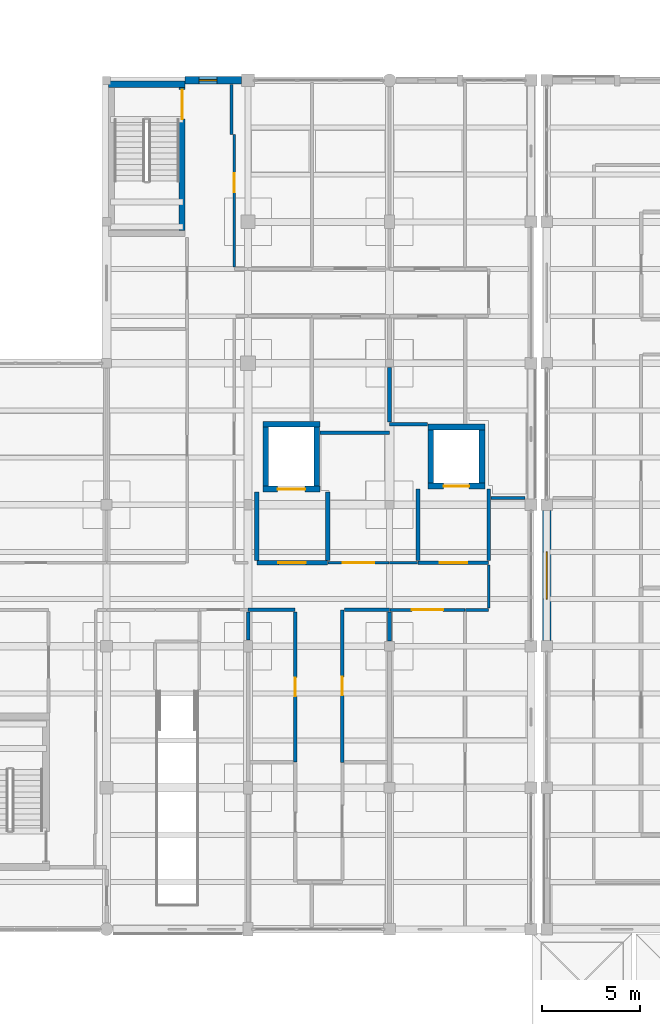
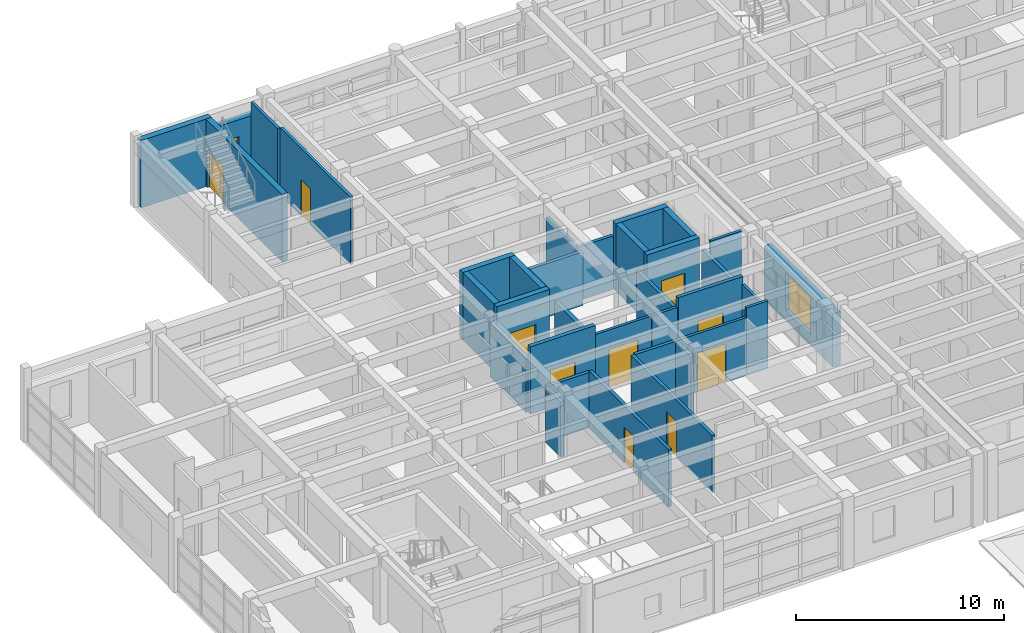
# One storey, part 84 of 110: 35 walls, 10 doors, 2 windows, 12 openings.
"""IFC4 building model written with IfcOpenShell, lengths in metres."""

from ifc_helpers import new_model, si_unit, direction, frame, frame_2d, origin, place, context, subcontext, project, spatial, rectangle, extrude, material, layer, layer_set, type_object, element, fill, save


model = new_model("IFC4")

# Units and contexts
model_context = context("Model", 3, precision=1e-05, world=origin(), true_north=direction((0.0, 1.0)))
body_context = subcontext(model_context, "Body", "Model", "MODEL_VIEW")
ifc_project = project(units=[si_unit("LENGTHUNIT", "METRE"), si_unit("AREAUNIT", "SQUARE_METRE"), si_unit("VOLUMEUNIT", "CUBIC_METRE"), si_unit("PLANEANGLEUNIT", "RADIAN"), si_unit("MASSUNIT", "GRAM", prefix="KILO")], contexts=[model_context])

# Site, building, storey
site_placement = place(None, origin())
site = spatial("IfcSite", under=ifc_project, at=site_placement, CompositionType="ELEMENT")
building_placement = place(site_placement, origin())
building = spatial("IfcBuilding", under=site, at=building_placement, Name="Steenspoor Specialist Clinic", CompositionType="ELEMENT")
storey_placement = place(building_placement, frame((0.0, 0.0, 4.800048828125)))
storey = spatial("IfcBuildingStorey", under=building, at=storey_placement, Name="L01", CompositionType="ELEMENT", Elevation=4.800048828125)

# Wall, opening, window
ifc_material_1 = material(Name="Extruded clay brick masonry", Category="masonry")
ifc_layer_1 = layer(ifc_material_1, 0.3798828125)
ifc_layer_set_1 = layer_set([ifc_layer_1], Name="Extruded clay brick masonry")
wall_type_1 = type_object("IfcWallType", Name="W-BRICK-380", PredefinedType="USERDEFINED", material=ifc_layer_set_1)
wall_1_placement = place(storey_placement, frame((34.0, 108.35009765625, 0.0), z_axis=(0.0, 0.0, 1.0), x_axis=(1.0, 0.0, 0.0)))
wall_1 = element("IfcWall", 1, at=wall_1_placement, inside=storey, type_object=wall_type_1, Name="Exterior Brick Wall EW-V5-L01-0261", ObjectType="CAVITY VENEER", PredefinedType="USERDEFINED", context=body_context, shape_type="SweptSolid", body=[
    extrude(rectangle(XDim=2.875, YDim=0.3798828125, at=frame_2d((1.4375, 0.0))), origin(), (0.0, 0.0, 1.0), 3.1298828125),
])
opening_1_placement = place(wall_1_placement, frame((0.715087890625, 0.0, 0.949951171875)))
opening_1 = element("IfcOpeningElement", 2, at=opening_1_placement, cuts=wall_1, Name="Opening WN-21", PredefinedType="OPENING", context=body_context, shape_type="SweptSolid", body=[
    extrude(rectangle(XDim=0.89990234375, YDim=1.199951171875, at=frame_2d((0.449951171875, 0.60009765625))), frame((0.0, 0.199951171875, 0.0), z_axis=(0.0, -1.0, 0.0), x_axis=(1.0, 0.0, 0.0)), (0.0, 0.0, 1.0), 0.39990234375),
])
ifc_material_2 = material(Name="Thermally broken aluminium and low-emissivity glass", Category="aluminium")
window_type_1 = type_object("IfcWindowType", Name="WN-EXT-090X120", PartitioningType="SINGLE_PANEL", PredefinedType="WINDOW", material=ifc_material_2)
window_1_placement = place(opening_1_placement, origin())
window_1 = element("IfcWindow", 3, at=window_1_placement, inside=storey, type_object=window_type_1, Name="Window 0286", OverallHeight=1.199951171875, OverallWidth=0.89990234375, PartitioningType="SINGLE_PANEL", PredefinedType="WINDOW", context=body_context, shape_type="SweptSolid", body=[
    extrude(rectangle(XDim=0.89990234375, YDim=1.199951171875, at=frame_2d((0.449951171875, 0.60009765625))), frame((0.0, 0.030029296875, 0.0), z_axis=(0.0, -1.0, 0.0), x_axis=(1.0, 0.0, 0.0)), (0.0, 0.0, 1.0), 0.06005859375),
])
fill(opening_1, window_1)

ifc_layer_2 = layer(ifc_material_1, 0.43994140625)
ifc_layer_set_2 = layer_set([ifc_layer_2], Name="Extruded clay brick masonry")
wall_type_2 = type_object("IfcWallType", Name="W-BRICK-440", PredefinedType="USERDEFINED", material=ifc_layer_set_2)
wall_2_placement = place(storey_placement, frame((52.39990234375, 79.85009765625, 0.0), z_axis=(0.0, 0.0, 1.0), x_axis=(0.0, 1.0, 0.0)))
wall_2 = element("IfcWall", 4, at=wall_2_placement, inside=storey, type_object=wall_type_2, Name="Exterior Brick Wall EW-V4-L01-0115", ObjectType="CAVITY VENEER", PredefinedType="USERDEFINED", context=body_context, shape_type="SweptSolid", body=[
    extrude(rectangle(XDim=6.599853515625, YDim=0.43994140625, at=frame_2d((3.2998046875, 0.0))), origin(), (0.0, 0.0, 1.0), 3.1298828125),
])
opening_2_placement = place(wall_2_placement, frame((2.10009765625, 0.0, 0.60009765625)))
opening_2 = element("IfcOpeningElement", 5, at=opening_2_placement, cuts=wall_2, Name="Opening WN-18", PredefinedType="OPENING", context=body_context, shape_type="SweptSolid", body=[
    extrude(rectangle(XDim=2.39990234375, YDim=2.199951171875, at=frame_2d((1.199951171875, 1.10009765625))), frame((0.0, 0.22998046875, 0.0), z_axis=(0.0, -1.0, 0.0), x_axis=(1.0, 0.0, 0.0)), (0.0, 0.0, 1.0), 0.4599609375),
])
window_type_2 = type_object("IfcWindowType", Name="WN-EXT-240X220", PartitioningType="SINGLE_PANEL", PredefinedType="WINDOW", material=ifc_material_2)
window_2_placement = place(opening_2_placement, origin())
window_2 = element("IfcWindow", 6, at=window_2_placement, inside=storey, type_object=window_type_2, Name="Window 0137", OverallHeight=2.199951171875, OverallWidth=2.39990234375, PartitioningType="SINGLE_PANEL", PredefinedType="WINDOW", context=body_context, shape_type="SweptSolid", body=[
    extrude(rectangle(XDim=2.39990234375, YDim=2.199951171875, at=frame_2d((1.199951171875, 1.10009765625))), frame((0.0, 0.030029296875, 0.0), z_axis=(0.0, -1.0, 0.0), x_axis=(1.0, 0.0, 0.0)), (0.0, 0.0, 1.0), 0.06005859375),
])
fill(opening_2, window_2)

# Wall, opening, door
ifc_material_3 = material(Name="Gypsum acoustic clinical partition", Category="gypsum")
ifc_layer_3 = layer(ifc_material_3, 0.14990234375)
ifc_layer_set_3 = layer_set([ifc_layer_3], Name="Gypsum acoustic clinical partition")
wall_type_3 = type_object("IfcWallType", Name="W-CLIN-150", PredefinedType="PARTITIONING", material=ifc_layer_set_3)
wall_3_placement = place(storey_placement, frame((44.4150390625, 81.39990234375, 0.0), z_axis=(0.0, 0.0, 1.0), x_axis=(1.0, 0.0, 0.0)))
wall_3 = element("IfcWall", 7, at=wall_3_placement, inside=storey, type_object=wall_type_3, Name="Interior Partition IW-V5-L01-0812", PredefinedType="PARTITIONING", context=body_context, shape_type="SweptSolid", body=[
    extrude(rectangle(XDim=3.8349609375, YDim=0.14990234375, at=frame_2d((1.91748046875, 0.0))), origin(), (0.0, 0.0, 1.0), 3.385009765625),
])
opening_3_placement = place(wall_3_placement, frame((1.117431640625, 0.0, 0.0)))
opening_3 = element("IfcOpeningElement", 8, at=opening_3_placement, cuts=wall_3, Name="Opening D0352", PredefinedType="OPENING", context=body_context, shape_type="SweptSolid", body=[
    extrude(rectangle(XDim=1.60009765625, YDim=2.25, at=frame_2d((0.800048828125, 1.125))), frame((0.0, 0.0849609375, 0.0), z_axis=(0.0, -1.0, 0.0), x_axis=(1.0, 0.0, 0.0)), (0.0, 0.0, 1.0), 0.169921875),
])
ifc_material_4 = material(Name="Hygienic HPL clinical timber door", Category="wood")
door_type_1 = type_object("IfcDoorType", Name="DT-PROC-160X225", OperationType="NOTDEFINED", PredefinedType="DOOR", material=ifc_material_4)
door_1_placement = place(opening_3_placement, origin())
door_1 = element("IfcDoor", 9, at=door_1_placement, inside=storey, type_object=door_type_1, Name="Clinical Door D0352", OperationType="SINGLE_SWING_LEFT", OverallHeight=2.25, OverallWidth=1.60009765625, PredefinedType="DOOR", context=body_context, shape_type="SweptSolid", body=[
    extrude(rectangle(XDim=1.60009765625, YDim=2.25, at=frame_2d((0.800048828125, 1.125))), frame((0.0, 0.02490234375, 0.0), z_axis=(0.0, -1.0, 0.0), x_axis=(1.0, 0.0, 0.0)), (0.0, 0.0, 1.0), 0.050048828125),
])
fill(opening_3, door_1)

# Walls
wall_4_placement = place(storey_placement, frame((48.264892578125, 81.39990234375, 0.0), z_axis=(0.0, 0.0, 1.0), x_axis=(1.0, 0.0, 0.0)))
element("IfcWall", 10, at=wall_4_placement, inside=storey, type_object=wall_type_3, Name="Interior Partition IW-V5-L01-0813", PredefinedType="PARTITIONING", context=body_context, shape_type="SweptSolid", body=[
    extrude(rectangle(XDim=1.18505859375, YDim=0.14990234375, at=frame_2d((0.592529296875, 0.0))), origin(), (0.0, 0.0, 1.0), 3.949951171875),
])
wall_5_placement = place(storey_placement, frame((49.449951171875, 81.489990234375, 0.0), z_axis=(0.0, 0.0, 1.0), x_axis=(0.0, 1.0, 0.0)))
element("IfcWall", 11, at=wall_5_placement, inside=storey, type_object=wall_type_3, Name="Interior Partition IW-V5-L01-0814", PredefinedType="PARTITIONING", context=body_context, shape_type="SweptSolid", body=[
    extrude(rectangle(XDim=2.195068359375, YDim=0.14990234375, at=frame_2d((1.09765625, 0.0))), origin(), (0.0, 0.0, 1.0), 3.514892578125),
])
wall_6_placement = place(storey_placement, frame((44.39990234375, 83.800048828125, 0.0), z_axis=(0.0, 0.0, 1.0), x_axis=(1.0, 0.0, 0.0)))
element("IfcWall", 12, at=wall_6_placement, inside=storey, type_object=wall_type_3, Name="Interior Partition IW-V5-L01-0822", PredefinedType="PARTITIONING", context=body_context, shape_type="SweptSolid", body=[
    extrude(rectangle(XDim=1.43505859375, YDim=0.14990234375, at=frame_2d((0.717529296875, 0.0))), origin(), (0.0, 0.0, 1.0), 3.385009765625),
])

# Wall, opening, door
wall_7_placement = place(storey_placement, frame((41.264892578125, 83.800048828125, 0.0), z_axis=(0.0, 0.0, 1.0), x_axis=(1.0, 0.0, 0.0)))
wall_7 = element("IfcWall", 13, at=wall_7_placement, inside=storey, type_object=wall_type_3, Name="Interior Partition IW-V5-L01-0823", PredefinedType="PARTITIONING", context=body_context, shape_type="SweptSolid", body=[
    extrude(rectangle(XDim=3.1201171875, YDim=0.14990234375, at=frame_2d((1.56005859375, 0.0))), origin(), (0.0, 0.0, 1.0), 3.385009765625),
])
opening_4_placement = place(wall_7_placement, frame((0.760009765625, 0.0, 0.0)))
opening_4 = element("IfcOpeningElement", 14, at=opening_4_placement, cuts=wall_7, Name="Opening D0361", PredefinedType="OPENING", context=body_context, shape_type="SweptSolid", body=[
    extrude(rectangle(XDim=1.60009765625, YDim=2.25, at=frame_2d((0.800048828125, 1.125))), frame((0.0, 0.0849609375, 0.0), z_axis=(0.0, -1.0, 0.0), x_axis=(1.0, 0.0, 0.0)), (0.0, 0.0, 1.0), 0.169921875),
])
door_2_placement = place(opening_4_placement, origin())
door_2 = element("IfcDoor", 15, at=door_2_placement, inside=storey, type_object=door_type_1, Name="Clinical Door D0361", OperationType="SINGLE_SWING_RIGHT", OverallHeight=2.25, OverallWidth=1.60009765625, PredefinedType="DOOR", context=body_context, shape_type="SweptSolid", body=[
    extrude(rectangle(XDim=1.60009765625, YDim=2.25, at=frame_2d((0.800048828125, 1.125))), frame((0.0, 0.02490234375, 0.0), z_axis=(0.0, -1.0, 0.0), x_axis=(1.0, 0.0, 0.0)), (0.0, 0.0, 1.0), 0.050048828125),
])
fill(opening_4, door_2)

# Wall
wall_8_placement = place(storey_placement, frame((36.35009765625, 105.60009765625, 0.0), z_axis=(0.0, 0.0, 1.0), x_axis=(0.0, 1.0, 0.0)))
element("IfcWall", 16, at=wall_8_placement, inside=storey, type_object=wall_type_3, Name="Interior Partition IW-V5-L01-0930", PredefinedType="PARTITIONING", context=body_context, shape_type="SweptSolid", body=[
    extrude(rectangle(XDim=2.544921875, YDim=0.14990234375, at=frame_2d((1.2724609375, 0.0))), origin(), (0.0, 0.0, 1.0), 3.949951171875),
])

# Wall, opening, door
wall_9_placement = place(storey_placement, frame((36.5, 98.840087890625, 0.0), z_axis=(0.0, 0.0, 1.0), x_axis=(0.0, 1.0, 0.0)))
wall_9 = element("IfcWall", 17, at=wall_9_placement, inside=storey, type_object=wall_type_3, Name="Interior Partition IW-V5-L01-0933", PredefinedType="PARTITIONING", context=body_context, shape_type="SweptSolid", body=[
    extrude(rectangle(XDim=6.744873046875, YDim=0.14990234375, at=frame_2d((3.37255859375, 0.0))), origin(), (0.0, 0.0, 1.0), 3.949951171875),
])
opening_5_placement = place(wall_9_placement, frame((3.82470703125, 0.0, 0.0)))
opening_5 = element("IfcOpeningElement", 18, at=opening_5_placement, cuts=wall_9, Name="Opening D0366", PredefinedType="OPENING", context=body_context, shape_type="SweptSolid", body=[
    extrude(rectangle(XDim=0.949951171875, YDim=2.10009765625, at=frame_2d((0.47509765625, 1.050048828125))), frame((0.0, 0.0849609375, 0.0), z_axis=(0.0, -1.0, 0.0), x_axis=(1.0, 0.0, 0.0)), (0.0, 0.0, 1.0), 0.169921875),
])
ifc_material_5 = material(Name="Moisture-resistant HPL sanitary door", Category="wood")
door_type_2 = type_object("IfcDoorType", Name="DT-WC-095X210", OperationType="NOTDEFINED", PredefinedType="DOOR", material=ifc_material_5)
door_3_placement = place(opening_5_placement, origin())
door_3 = element("IfcDoor", 19, at=door_3_placement, inside=storey, type_object=door_type_2, Name="Clinical Door D0366", OperationType="SINGLE_SWING_LEFT", OverallHeight=2.10009765625, OverallWidth=0.949951171875, PredefinedType="DOOR", context=body_context, shape_type="SweptSolid", body=[
    extrude(rectangle(XDim=0.949951171875, YDim=2.10009765625, at=frame_2d((0.47509765625, 1.050048828125))), frame((0.0, 0.02490234375, 0.0), z_axis=(0.0, -1.0, 0.0), x_axis=(1.0, 0.0, 0.0)), (0.0, 0.0, 1.0), 0.050048828125),
])
fill(opening_5, door_3)

# Walls
wall_10_placement = place(storey_placement, frame((49.56494140625, 87.10009765625, 0.0), z_axis=(0.0, 0.0, 1.0), x_axis=(1.0, 0.0, 0.0)))
element("IfcWall", 20, at=wall_10_placement, inside=storey, type_object=wall_type_3, Name="Interior Partition IW-V5-L01-1145", PredefinedType="PARTITIONING", context=body_context, shape_type="SweptSolid", body=[
    extrude(rectangle(XDim=1.719970703125, YDim=0.14990234375, at=frame_2d((0.85986328125, 0.0))), origin(), (0.0, 0.0, 1.0), 3.949951171875),
])
ifc_material_6 = material(Name="Concrete C40/50", Category="concrete")
ifc_layer_4 = layer(ifc_material_6, 0.330078125)
ifc_layer_set_4 = layer_set([ifc_layer_4], Name="Concrete C40/50")
wall_type_4 = type_object("IfcWallType", Name="W-ESW-330", PredefinedType="SHEAR", material=ifc_layer_set_4)
wall_11_placement = place(storey_placement, frame((30.10009765625, 108.14990234375, 0.0), z_axis=(0.0, 0.0, 1.0), x_axis=(1.0, 0.0, 0.0)))
element("IfcWall", 21, at=wall_11_placement, inside=storey, type_object=wall_type_4, Name="Core Shear Wall SW-ST-V5A-L01-N", PredefinedType="SHEAR", context=body_context, shape_type="SweptSolid", body=[
    extrude(rectangle(XDim=3.89990234375, YDim=0.330078125, at=frame_2d((1.949951171875, 0.0))), origin(), (0.0, 0.0, 1.0), 3.949951171875),
])

# Wall, opening, door
ifc_material_7 = material(Name="Fire-rated clay blockwork masonry", Category="masonry")
ifc_layer_5 = layer(ifc_material_7, 0.219970703125)
ifc_layer_set_5 = layer_set([ifc_layer_5], Name="Fire-rated clay blockwork masonry")
wall_type_5 = type_object("IfcWallType", Name="W-FIRE-220", PredefinedType="PARTITIONING", material=ifc_layer_set_5)
wall_12_placement = place(storey_placement, frame((37.64990234375, 83.800048828125, 0.0), z_axis=(0.0, 0.0, 1.0), x_axis=(1.0, 0.0, 0.0)))
wall_12 = element("IfcWall", 22, at=wall_12_placement, inside=storey, type_object=wall_type_5, Name="Interior Partition IW-V5-L01-0669", PredefinedType="PARTITIONING", context=body_context, shape_type="SweptSolid", body=[
    extrude(rectangle(XDim=3.60009765625, YDim=0.219970703125, at=frame_2d((1.800048828125, 0.0))), origin(), (0.0, 0.0, 1.0), 3.949951171875),
])
opening_6_placement = place(wall_12_placement, frame((1.10009765625, 0.0, 0.0)))
opening_6 = element("IfcOpeningElement", 23, at=opening_6_placement, cuts=wall_12, Name="Opening D0343", PredefinedType="OPENING", context=body_context, shape_type="SweptSolid", body=[
    extrude(rectangle(XDim=1.39990234375, YDim=2.199951171875, at=frame_2d((0.699951171875, 1.10009765625))), frame((0.0, 0.1201171875, 0.0), z_axis=(0.0, -1.0, 0.0), x_axis=(1.0, 0.0, 0.0)), (0.0, 0.0, 1.0), 0.239990234375),
])
ifc_material_8 = material(Name="Fire-rated clinical laminate door", Category="steel")
door_type_3 = type_object("IfcDoorType", Name="DT-LAB-140X220", OperationType="NOTDEFINED", PredefinedType="DOOR", material=ifc_material_8)
door_4_placement = place(opening_6_placement, origin())
door_4 = element("IfcDoor", 24, at=door_4_placement, inside=storey, type_object=door_type_3, Name="Lift Lobby Fire Door D0343", OperationType="SINGLE_SWING_RIGHT", OverallHeight=2.199951171875, OverallWidth=1.39990234375, PredefinedType="DOOR", context=body_context, shape_type="SweptSolid", body=[
    extrude(rectangle(XDim=1.39990234375, YDim=2.199951171875, at=frame_2d((0.699951171875, 1.10009765625))), frame((0.0, 0.02490234375, 0.0), z_axis=(0.0, -1.0, 0.0), x_axis=(1.0, 0.0, 0.0)), (0.0, 0.0, 1.0), 0.050048828125),
])
fill(opening_6, door_4)

# Walls
for number, where, z_axis, x_axis, name in (
    (25, (41.25, 83.925048828125, 0.0), (0.0, 0.0, 1.0), (0.0, 1.0, 0.0), "Interior Partition IW-V5-L01-0681"),
    (26, (37.64990234375, 83.925048828125, 0.0), (0.0, 0.0, 1.0), (0.0, 1.0, 0.0), "Interior Partition IW-V5-L01-0682"),
):
    element("IfcWall", number, at=place(storey_placement, frame(where, z_axis=z_axis, x_axis=x_axis)), inside=storey, type_object=wall_type_5, Name=name, PredefinedType="PARTITIONING", context=body_context, shape_type="SweptSolid", body=[
        extrude(rectangle(XDim=3.474853515625, YDim=0.219970703125, at=frame_2d((1.7373046875, 0.0))), origin(), (0.0, 0.0, 1.0), 3.135009765625),
    ])
ifc_material_9 = material(Name="Moisture-resistant gypsum plumbing wall", Category="gypsum")
ifc_layer_6 = layer(ifc_material_9, 0.179931640625)
ifc_layer_set_6 = layer_set([ifc_layer_6], Name="Moisture-resistant gypsum plumbing wall")
wall_type_6 = type_object("IfcWallType", Name="W-PLUMB-180", PredefinedType="PLUMBINGWALL", material=ifc_layer_set_6)
wall_13_placement = place(storey_placement, frame((37.199951171875, 81.39990234375, 0.0), z_axis=(0.0, 0.0, 1.0), x_axis=(1.0, 0.0, 0.0)))
element("IfcWall", 27, at=wall_13_placement, inside=storey, type_object=wall_type_6, Name="Interior Partition IW-V5-L01-0778", PredefinedType="PLUMBINGWALL", context=body_context, shape_type="SweptSolid", body=[
    extrude(rectangle(XDim=2.400146484375, YDim=0.179931640625, at=frame_2d((1.2001953125, 0.0))), origin(), (0.0, 0.0, 1.0), 3.23486328125),
])

# Wall, opening, door
wall_14_placement = place(storey_placement, frame((39.60009765625, 73.659912109375, 0.0), z_axis=(0.0, 0.0, 1.0), x_axis=(0.0, 1.0, 0.0)))
wall_14 = element("IfcWall", 28, at=wall_14_placement, inside=storey, type_object=wall_type_6, Name="Interior Partition IW-V5-L01-0779", PredefinedType="PLUMBINGWALL", context=body_context, shape_type="SweptSolid", body=[
    extrude(rectangle(XDim=7.635009765625, YDim=0.179931640625, at=frame_2d((3.8173828125, 0.0))), origin(), (0.0, 0.0, 1.0), 3.35498046875),
])
opening_7_placement = place(wall_14_placement, frame((3.342529296875, 0.0, 0.0)))
opening_7 = element("IfcOpeningElement", 29, at=opening_7_placement, cuts=wall_14, Name="Opening D0354", PredefinedType="OPENING", context=body_context, shape_type="SweptSolid", body=[
    extrude(rectangle(XDim=0.949951171875, YDim=2.10009765625, at=frame_2d((0.47509765625, 1.050048828125))), frame((0.0, 0.10009765625, 0.0), z_axis=(0.0, -1.0, 0.0), x_axis=(1.0, 0.0, 0.0)), (0.0, 0.0, 1.0), 0.199951171875),
])
door_5_placement = place(opening_7_placement, origin())
door_5 = element("IfcDoor", 30, at=door_5_placement, inside=storey, type_object=door_type_2, Name="Clinical Door D0354", OperationType="SINGLE_SWING_LEFT", OverallHeight=2.10009765625, OverallWidth=0.949951171875, PredefinedType="DOOR", context=body_context, shape_type="SweptSolid", body=[
    extrude(rectangle(XDim=0.949951171875, YDim=2.10009765625, at=frame_2d((0.47509765625, 1.050048828125))), frame((0.0, 0.02490234375, 0.0), z_axis=(0.0, -1.0, 0.0), x_axis=(1.0, 0.0, 0.0)), (0.0, 0.0, 1.0), 0.050048828125),
])
fill(opening_7, door_5)

wall_15_placement = place(storey_placement, frame((42.0, 73.64501953125, 0.0), z_axis=(0.0, 0.0, 1.0), x_axis=(0.0, 1.0, 0.0)))
wall_15 = element("IfcWall", 31, at=wall_15_placement, inside=storey, type_object=wall_type_6, Name="Interior Partition IW-V5-L01-0780", PredefinedType="PLUMBINGWALL", context=body_context, shape_type="SweptSolid", body=[
    extrude(rectangle(XDim=7.7548828125, YDim=0.179931640625, at=frame_2d((3.87744140625, 0.0))), origin(), (0.0, 0.0, 1.0), 3.35498046875),
])
opening_8_placement = place(wall_15_placement, frame((3.402587890625, 0.0, 0.0)))
opening_8 = element("IfcOpeningElement", 32, at=opening_8_placement, cuts=wall_15, Name="Opening D0355", PredefinedType="OPENING", context=body_context, shape_type="SweptSolid", body=[
    extrude(rectangle(XDim=0.949951171875, YDim=2.10009765625, at=frame_2d((0.47509765625, 1.050048828125))), frame((0.0, 0.10009765625, 0.0), z_axis=(0.0, -1.0, 0.0), x_axis=(1.0, 0.0, 0.0)), (0.0, 0.0, 1.0), 0.199951171875),
])
door_6_placement = place(opening_8_placement, origin())
door_6 = element("IfcDoor", 33, at=door_6_placement, inside=storey, type_object=door_type_2, Name="Clinical Door D0355", OperationType="SINGLE_SWING_RIGHT", OverallHeight=2.10009765625, OverallWidth=0.949951171875, PredefinedType="DOOR", context=body_context, shape_type="SweptSolid", body=[
    extrude(rectangle(XDim=0.949951171875, YDim=2.10009765625, at=frame_2d((0.47509765625, 1.050048828125))), frame((0.0, 0.02490234375, 0.0), z_axis=(0.0, -1.0, 0.0), x_axis=(1.0, 0.0, 0.0)), (0.0, 0.0, 1.0), 0.050048828125),
])
fill(opening_8, door_6)

# Walls
wall_16_placement = place(storey_placement, frame((42.10498046875, 81.39990234375, 0.0), z_axis=(0.0, 0.0, 1.0), x_axis=(1.0, 0.0, 0.0)))
element("IfcWall", 34, at=wall_16_placement, inside=storey, type_object=wall_type_6, Name="Interior Partition IW-V5-L01-0781", PredefinedType="PLUMBINGWALL", context=body_context, shape_type="SweptSolid", body=[
    extrude(rectangle(XDim=2.294921875, YDim=0.179931640625, at=frame_2d((1.1474609375, 0.0))), origin(), (0.0, 0.0, 1.0), 3.385009765625),
])
wall_17_placement = place(storey_placement, frame((37.199951171875, 79.864990234375, 0.0), z_axis=(0.0, 0.0, 1.0), x_axis=(0.0, 1.0, 0.0)))
element("IfcWall", 35, at=wall_17_placement, inside=storey, type_object=wall_type_6, Name="Interior Partition IW-V5-L01-1107", PredefinedType="PLUMBINGWALL", context=body_context, shape_type="SweptSolid", body=[
    extrude(rectangle(XDim=1.429931640625, YDim=0.179931640625, at=frame_2d((0.71484375, 0.0))), origin(), (0.0, 0.0, 1.0), 3.23486328125),
])
wall_18_placement = place(storey_placement, frame((44.39990234375, 79.81494140625, 0.0), z_axis=(0.0, 0.0, 1.0), x_axis=(0.0, 1.0, 0.0)))
element("IfcWall", 36, at=wall_18_placement, inside=storey, type_object=wall_type_6, Name="Interior Partition IW-V5-L01-1112", PredefinedType="PLUMBINGWALL", context=body_context, shape_type="SweptSolid", body=[
    extrude(rectangle(XDim=1.47998046875, YDim=0.179931640625, at=frame_2d((0.739990234375, 0.0))), origin(), (0.0, 0.0, 1.0), 3.385009765625),
])
wall_19_placement = place(storey_placement, frame((44.39990234375, 90.85009765625, 0.0), z_axis=(0.0, 0.0, 1.0), x_axis=(1.0, 0.0, 0.0)))
element("IfcWall", 37, at=wall_19_placement, inside=storey, type_object=wall_type_6, Name="Interior Partition IW-V5-L01-1115", PredefinedType="PLUMBINGWALL", context=body_context, shape_type="SweptSolid", body=[
    extrude(rectangle(XDim=1.93505859375, YDim=0.179931640625, at=frame_2d((0.967529296875, 0.0))), origin(), (0.0, 0.0, 1.0), 3.135009765625),
])
wall_20_placement = place(storey_placement, frame((40.864990234375, 90.425048828125, 0.0), z_axis=(0.0, 0.0, 1.0), x_axis=(1.0, 0.0, 0.0)))
element("IfcWall", 38, at=wall_20_placement, inside=storey, type_object=wall_type_6, Name="Interior Partition IW-V5-L01-1116", PredefinedType="PLUMBINGWALL", context=body_context, shape_type="SweptSolid", body=[
    extrude(rectangle(XDim=3.534912109375, YDim=0.179931640625, at=frame_2d((1.767578125, 0.0))), origin(), (0.0, 0.0, 1.0), 3.135009765625),
])
wall_21_placement = place(storey_placement, frame((44.39990234375, 90.955078125, 0.0), z_axis=(0.0, 0.0, 1.0), x_axis=(0.0, 1.0, 0.0)))
element("IfcWall", 39, at=wall_21_placement, inside=storey, type_object=wall_type_6, Name="Interior Partition IW-V5-L01-1118", PredefinedType="PLUMBINGWALL", context=body_context, shape_type="SweptSolid", body=[
    extrude(rectangle(XDim=2.780029296875, YDim=0.179931640625, at=frame_2d((1.39013671875, 0.0))), origin(), (0.0, 0.0, 1.0), 3.135009765625),
])

# Wall, opening, door
ifc_material_10 = material(Name="Gypsum acoustic smoke barrier board", Category="gypsum")
ifc_layer_7 = layer(ifc_material_10, 0.199951171875)
ifc_layer_set_7 = layer_set([ifc_layer_7], Name="Gypsum acoustic smoke barrier board")
wall_type_7 = type_object("IfcWallType", Name="W-SMOKE-200", PredefinedType="PARTITIONING", material=ifc_layer_set_7)
wall_22_placement = place(storey_placement, frame((45.85009765625, 83.800048828125, 0.0), z_axis=(0.0, 0.0, 1.0), x_axis=(1.0, 0.0, 0.0)))
wall_22 = element("IfcWall", 40, at=wall_22_placement, inside=storey, type_object=wall_type_7, Name="Interior Partition IW-V5-L01-0676", PredefinedType="PARTITIONING", context=body_context, shape_type="SweptSolid", body=[
    extrude(rectangle(XDim=3.599853515625, YDim=0.199951171875, at=frame_2d((1.7998046875, 0.0))), origin(), (0.0, 0.0, 1.0), 3.949951171875),
])
opening_9_placement = place(wall_22_placement, frame((1.10009765625, 0.0, 0.0)))
opening_9 = element("IfcOpeningElement", 41, at=opening_9_placement, cuts=wall_22, Name="Opening D0344", PredefinedType="OPENING", context=body_context, shape_type="SweptSolid", body=[
    extrude(rectangle(XDim=1.39990234375, YDim=2.199951171875, at=frame_2d((0.699951171875, 1.10009765625))), frame((0.0, 0.10986328125, 0.0), z_axis=(0.0, -1.0, 0.0), x_axis=(1.0, 0.0, 0.0)), (0.0, 0.0, 1.0), 0.219970703125),
])
door_7_placement = place(opening_9_placement, origin())
door_7 = element("IfcDoor", 42, at=door_7_placement, inside=storey, type_object=door_type_3, Name="Lift Lobby Fire Door D0344", OperationType="SINGLE_SWING_LEFT", OverallHeight=2.199951171875, OverallWidth=1.39990234375, PredefinedType="DOOR", context=body_context, shape_type="SweptSolid", body=[
    extrude(rectangle(XDim=1.39990234375, YDim=2.199951171875, at=frame_2d((0.699951171875, 1.10009765625))), frame((0.0, 0.02490234375, 0.0), z_axis=(0.0, -1.0, 0.0), x_axis=(1.0, 0.0, 0.0)), (0.0, 0.0, 1.0), 0.050048828125),
])
fill(opening_9, door_7)

# Walls
for number, where, z_axis, x_axis, name in (
    (43, (49.449951171875, 83.9150390625, 0.0), (0.0, 0.0, 1.0), (0.0, 1.0, 0.0), "Interior Partition IW-V5-L01-0690"),
    (44, (45.85009765625, 83.9150390625, 0.0), (0.0, 0.0, 1.0), (0.0, 1.0, 0.0), "Interior Partition IW-V5-L01-0691"),
):
    element("IfcWall", number, at=place(storey_placement, frame(where, z_axis=z_axis, x_axis=x_axis)), inside=storey, type_object=wall_type_7, Name=name, PredefinedType="PARTITIONING", context=body_context, shape_type="SweptSolid", body=[
        extrude(rectangle(XDim=3.635009765625, YDim=0.199951171875, at=frame_2d((1.8173828125, 0.0))), origin(), (0.0, 0.0, 1.0), 3.23486328125),
    ])

# Wall, opening, door
ifc_layer_8 = layer(ifc_material_6, 0.300048828125)
ifc_layer_set_8 = layer_set([ifc_layer_8], Name="Concrete C40/50")
wall_type_8 = type_object("IfcWallType", Name="W-SW-300", PredefinedType="SHEAR", material=ifc_layer_set_8)
wall_23_placement = place(storey_placement, frame((33.85009765625, 100.699951171875, 0.0), z_axis=(0.0, 0.0, 1.0), x_axis=(0.0, 1.0, 0.0)))
wall_23 = element("IfcWall", 45, at=wall_23_placement, inside=storey, type_object=wall_type_8, Name="Core Shear Wall SW-ST-V5A-L01-E", PredefinedType="SHEAR", context=body_context, shape_type="SweptSolid", body=[
    extrude(rectangle(XDim=7.300048828125, YDim=0.300048828125, at=frame_2d((3.64990234375, 0.0))), origin(), (0.0, 0.0, 1.0), 3.949951171875),
])
opening_10_placement = place(wall_23_placement, frame((5.679931640625, 0.0, 0.0)))
opening_10 = element("IfcOpeningElement", 46, at=opening_10_placement, cuts=wall_23, Name="Opening SD028", PredefinedType="OPENING", context=body_context, shape_type="SweptSolid", body=[
    extrude(rectangle(XDim=1.5, YDim=2.14990234375, at=frame_2d((0.75, 1.074951171875))), frame((0.0, 0.16015625, 0.0), z_axis=(0.0, -1.0, 0.0), x_axis=(1.0, 0.0, 0.0)), (0.0, 0.0, 1.0), 0.320068359375),
])
ifc_material_11 = material(Name="Fire-rated steel acoustic door", Category="steel")
door_type_4 = type_object("IfcDoorType", Name="DT-STAIR-150X215", OperationType="NOTDEFINED", PredefinedType="DOOR", material=ifc_material_11)
door_8_placement = place(opening_10_placement, origin())
door_8 = element("IfcDoor", 47, at=door_8_placement, inside=storey, type_object=door_type_4, Name="Exit Stair Fire Door SD028", OperationType="SINGLE_SWING_LEFT", OverallHeight=2.14990234375, OverallWidth=1.5, PredefinedType="DOOR", context=body_context, shape_type="SweptSolid", body=[
    extrude(rectangle(XDim=1.5, YDim=2.14990234375, at=frame_2d((0.75, 1.074951171875))), frame((0.0, 0.02490234375, 0.0), z_axis=(0.0, -1.0, 0.0), x_axis=(1.0, 0.0, 0.0)), (0.0, 0.0, 1.0), 0.050048828125),
])
fill(opening_10, door_8)

wall_24_placement = place(storey_placement, frame((37.949951171875, 87.550048828125, 0.0), z_axis=(0.0, 0.0, 1.0), x_axis=(1.0, 0.0, 0.0)))
wall_24 = element("IfcWall", 48, at=wall_24_placement, inside=storey, type_object=wall_type_8, Name="Lift Shaft Shear Wall SW-EL-S2-L01-S", PredefinedType="SHEAR", context=body_context, shape_type="SweptSolid", body=[
    extrude(rectangle(XDim=2.900146484375, YDim=0.300048828125, at=frame_2d((1.4501953125, 0.0))), origin(), (0.0, 0.0, 1.0), 3.949951171875),
])
opening_11_placement = place(wall_24_placement, frame((0.75, 0.0, 0.0)))
opening_11 = element("IfcOpeningElement", 49, at=opening_11_placement, cuts=wall_24, Name="Opening LD08", PredefinedType="OPENING", context=body_context, shape_type="SweptSolid", body=[
    extrude(rectangle(XDim=1.39990234375, YDim=2.14990234375, at=frame_2d((0.699951171875, 1.074951171875))), frame((0.0, 0.16015625, 0.0), z_axis=(0.0, -1.0, 0.0), x_axis=(1.0, 0.0, 0.0)), (0.0, 0.0, 1.0), 0.320068359375),
])
ifc_material_12 = material(Name="Stainless steel lift landing door", Category="steel")
door_type_5 = type_object("IfcDoorType", Name="DT-LIFT-S-140", OperationType="NOTDEFINED", PredefinedType="DOOR", material=ifc_material_12)
door_9_placement = place(opening_11_placement, origin())
door_9 = element("IfcDoor", 50, at=door_9_placement, inside=storey, type_object=door_type_5, Name="Lift Landing Door LD08", OperationType="SLIDING_TO_LEFT", OverallHeight=2.14990234375, OverallWidth=1.39990234375, PredefinedType="DOOR", context=body_context, shape_type="SweptSolid", body=[
    extrude(rectangle(XDim=1.39990234375, YDim=2.14990234375, at=frame_2d((0.699951171875, 1.074951171875))), frame((0.0, 0.02490234375, 0.0), z_axis=(0.0, -1.0, 0.0), x_axis=(1.0, 0.0, 0.0)), (0.0, 0.0, 1.0), 0.050048828125),
])
fill(opening_11, door_9)

# Walls
wall_25_placement = place(storey_placement, frame((37.949951171875, 90.85009765625, 0.0), z_axis=(0.0, 0.0, 1.0), x_axis=(1.0, 0.0, 0.0)))
element("IfcWall", 51, at=wall_25_placement, inside=storey, type_object=wall_type_8, Name="Lift Shaft Shear Wall SW-EL-S2-L01-N", PredefinedType="SHEAR", context=body_context, shape_type="SweptSolid", body=[
    extrude(rectangle(XDim=2.900146484375, YDim=0.300048828125, at=frame_2d((1.4501953125, 0.0))), origin(), (0.0, 0.0, 1.0), 3.949951171875),
])
for number, where, z_axis, x_axis, name in (
    (52, (38.10009765625, 87.699951171875, 0.0), (0.0, 0.0, 1.0), (0.0, 1.0, 0.0), "Lift Shaft Shear Wall SW-EL-S2-L01-W"),
    (53, (40.699951171875, 87.699951171875, 0.0), (0.0, 0.0, 1.0), (0.0, 1.0, 0.0), "Lift Shaft Shear Wall SW-EL-S2-L01-E"),
):
    element("IfcWall", number, at=place(storey_placement, frame(where, z_axis=z_axis, x_axis=x_axis)), inside=storey, type_object=wall_type_8, Name=name, PredefinedType="SHEAR", context=body_context, shape_type="SweptSolid", body=[
        extrude(rectangle(XDim=3.0, YDim=0.300048828125, at=frame_2d((1.5, 0.0))), origin(), (0.0, 0.0, 1.0), 3.949951171875),
    ])

# Wall, opening, door
wall_26_placement = place(storey_placement, frame((46.35009765625, 87.699951171875, 0.0), z_axis=(0.0, 0.0, 1.0), x_axis=(1.0, 0.0, 0.0)))
wall_26 = element("IfcWall", 54, at=wall_26_placement, inside=storey, type_object=wall_type_8, Name="Lift Shaft Shear Wall SW-EL-G1-L01-S", PredefinedType="SHEAR", context=body_context, shape_type="SweptSolid", body=[
    extrude(rectangle(XDim=2.89990234375, YDim=0.300048828125, at=frame_2d((1.449951171875, 0.0))), origin(), (0.0, 0.0, 1.0), 3.949951171875),
])
opening_12_placement = place(wall_26_placement, frame((0.800048828125, 0.0, 0.0)))
opening_12 = element("IfcOpeningElement", 55, at=opening_12_placement, cuts=wall_26, Name="Opening LD30", PredefinedType="OPENING", context=body_context, shape_type="SweptSolid", body=[
    extrude(rectangle(XDim=1.300048828125, YDim=2.14990234375, at=frame_2d((0.64990234375, 1.074951171875))), frame((0.0, 0.16015625, 0.0), z_axis=(0.0, -1.0, 0.0), x_axis=(1.0, 0.0, 0.0)), (0.0, 0.0, 1.0), 0.320068359375),
])
door_type_6 = type_object("IfcDoorType", Name="DT-LIFT-G-130", OperationType="NOTDEFINED", PredefinedType="DOOR", material=ifc_material_12)
door_10_placement = place(opening_12_placement, origin())
door_10 = element("IfcDoor", 56, at=door_10_placement, inside=storey, type_object=door_type_6, Name="Lift Landing Door LD30", OperationType="SLIDING_TO_LEFT", OverallHeight=2.14990234375, OverallWidth=1.300048828125, PredefinedType="DOOR", context=body_context, shape_type="SweptSolid", body=[
    extrude(rectangle(XDim=1.300048828125, YDim=2.14990234375, at=frame_2d((0.64990234375, 1.074951171875))), frame((0.0, 0.02490234375, 0.0), z_axis=(0.0, -1.0, 0.0), x_axis=(1.0, 0.0, 0.0)), (0.0, 0.0, 1.0), 0.050048828125),
])
fill(opening_12, door_10)

# Walls
wall_27_placement = place(storey_placement, frame((46.35009765625, 90.699951171875, 0.0), z_axis=(0.0, 0.0, 1.0), x_axis=(1.0, 0.0, 0.0)))
element("IfcWall", 57, at=wall_27_placement, inside=storey, type_object=wall_type_8, Name="Lift Shaft Shear Wall SW-EL-G1-L01-N", PredefinedType="SHEAR", context=body_context, shape_type="SweptSolid", body=[
    extrude(rectangle(XDim=2.89990234375, YDim=0.300048828125, at=frame_2d((1.449951171875, 0.0))), origin(), (0.0, 0.0, 1.0), 3.949951171875),
])
for number, where, z_axis, x_axis, name in (
    (58, (46.5, 87.85009765625, 0.0), (0.0, 0.0, 1.0), (0.0, 1.0, 0.0), "Lift Shaft Shear Wall SW-EL-G1-L01-W"),
    (59, (49.10009765625, 87.85009765625, 0.0), (0.0, 0.0, 1.0), (0.0, 1.0, 0.0), "Lift Shaft Shear Wall SW-EL-G1-L01-E"),
):
    element("IfcWall", number, at=place(storey_placement, frame(where, z_axis=z_axis, x_axis=x_axis)), inside=storey, type_object=wall_type_8, Name=name, PredefinedType="SHEAR", context=body_context, shape_type="SweptSolid", body=[
        extrude(rectangle(XDim=2.699951171875, YDim=0.300048828125, at=frame_2d((1.35009765625, 0.0))), origin(), (0.0, 0.0, 1.0), 3.949951171875),
    ])

save(model, "model.ifc")
